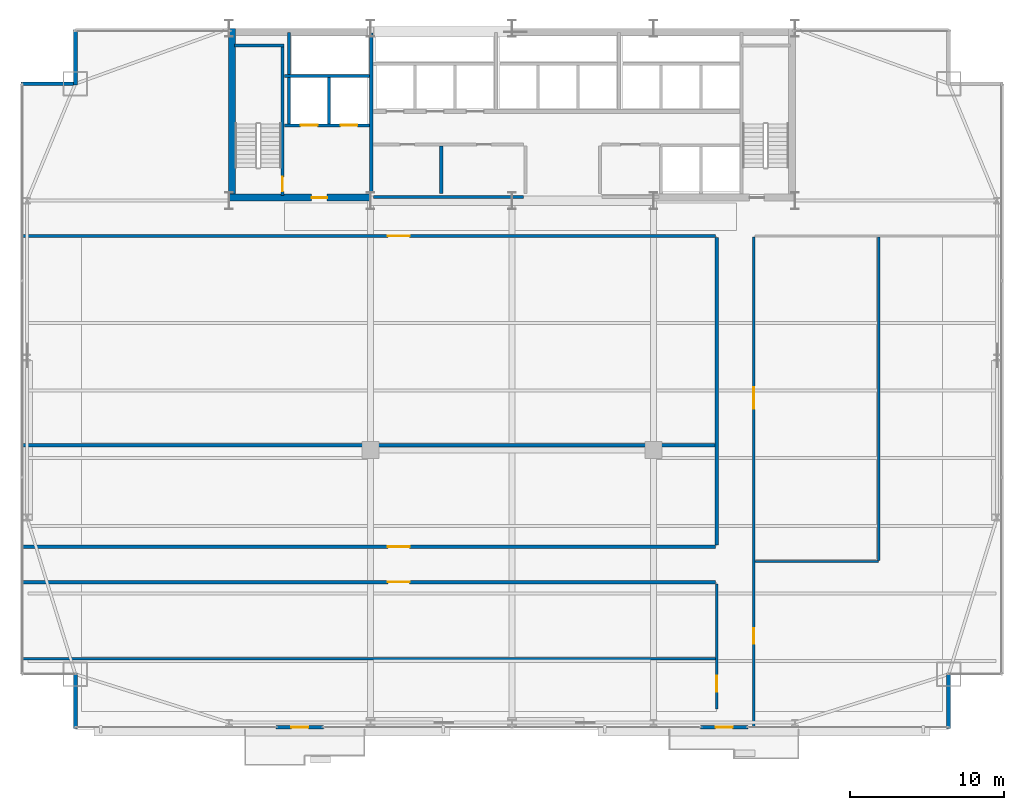
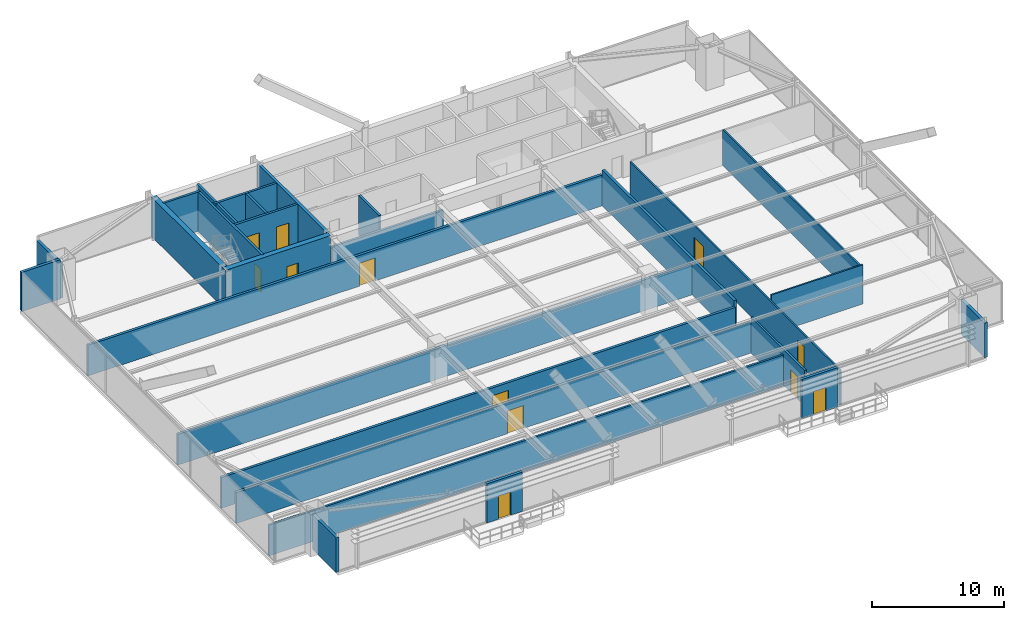
# One storey, part 30 of 34: 27 walls, 12 doors, 12 openings.
"""IFC4 building model written with IfcOpenShell, lengths in metres."""

import ifcopenshell
import ifcopenshell.guid

model = None  # the IFC model being written
_history = None  # IfcOwnerHistory: only IFC2X3 demands one
_inside = {}  # id of a spatial element -> (the spatial element, [elements in it])
_under = {}  # id of a project, library or spatial element -> (it, [spatial elements below it])
_declared = {}  # id of a project -> (the project, [libraries it declares])
_typed = {}  # id of a type object -> (the type object, [elements of that type])
_made_of = {}  # id of a material, layer set ... -> (it, [elements and type objects made of it])


def new_model(schema):
    """Start an empty IFC model of exactly this schema.

    Asked for "IFC4X3", IfcOpenShell would pick the latest addendum, in which some entities
    have other attributes; the version numbers below select the first issue.
    IFC2X3 requires an IfcOwnerHistory on every rooted entity: one is made here for all.
    """
    global model, _history
    if schema == "IFC4X3":
        model = ifcopenshell.file(schema_version=(4, 3, 0, 0))
    else:
        model = ifcopenshell.file(schema=schema)
    _inside.clear()
    _under.clear()
    _declared.clear()
    _typed.clear()
    _made_of.clear()
    _history = None
    if model.schema == "IFC2X3":
        org = make("IfcOrganization", Name="unknown")
        user = make(
            "IfcPersonAndOrganization",
            ThePerson=make("IfcPerson", FamilyName="unknown"),
            TheOrganization=org,
        )
        app = make(
            "IfcApplication",
            ApplicationDeveloper=org,
            Version="unknown",
            ApplicationFullName="unknown",
            ApplicationIdentifier="unknown",
        )
        _history = make(
            "IfcOwnerHistory",
            OwningUser=user,
            OwningApplication=app,
            ChangeAction="ADDED",
            CreationDate=0,
        )
    return model


def make(cls, **values):
    """One entity of the class cls with the attributes given. An attribute that is None is left unset."""
    return model.create_entity(
        cls, **{name: value for name, value in values.items() if value is not None}
    )


def rooted(cls, **values):
    """An entity with a GlobalId (a new one), such as an element, a storey or a relation."""
    return make(cls, GlobalId=ifcopenshell.guid.new(), OwnerHistory=_history, **values)


def si_unit(unit_type, name, prefix=None):
    """IfcSIUnit, for example si_unit("LENGTHUNIT", "METRE", prefix="MILLI")."""
    return make("IfcSIUnit", UnitType=unit_type, Prefix=prefix, Name=name)


def assignment(units):
    """IfcUnitAssignment: the units of a project."""
    return None if units is None else make("IfcUnitAssignment", Units=units)


def point(xyz):
    """IfcCartesianPoint."""
    return None if xyz is None else make("IfcCartesianPoint", Coordinates=xyz)


def direction(xyz):
    """IfcDirection."""
    return None if xyz is None else make("IfcDirection", DirectionRatios=xyz)


def frame(location, z_axis=None, x_axis=None):
    """IfcAxis2Placement3D, a coordinate frame: its origin and axes. An axis left out is left unset."""
    return make(
        "IfcAxis2Placement3D",
        Location=point(location),
        Axis=direction(z_axis),
        RefDirection=direction(x_axis),
    )


def frame_2d(location, x_axis=None):
    """IfcAxis2Placement2D, a coordinate frame in the plane: its origin and x axis."""
    return make(
        "IfcAxis2Placement2D", Location=point(location), RefDirection=direction(x_axis)
    )


def origin():
    """The frame at (0, 0, 0) with its axes left unset."""
    return frame((0.0, 0.0, 0.0))


def place(relative_to, where):
    """IfcLocalPlacement: puts the frame where relative to a parent placement (None: the world)."""
    return make(
        "IfcLocalPlacement", PlacementRelTo=relative_to, RelativePlacement=where
    )


def context(
    kind, dimensions, precision=None, world=None, true_north=None, identifier=None
):
    """IfcGeometricRepresentationContext, for example the 3D "Model" context."""
    return make(
        "IfcGeometricRepresentationContext",
        ContextIdentifier=identifier,
        ContextType=kind,
        CoordinateSpaceDimension=dimensions,
        Precision=precision,
        WorldCoordinateSystem=world,
        TrueNorth=true_north,
    )


def subcontext(parent, identifier, kind, view, scale=None):
    """IfcGeometricRepresentationSubContext, for example "Body" below "Model"."""
    return make(
        "IfcGeometricRepresentationSubContext",
        ContextIdentifier=identifier,
        ContextType=kind,
        ParentContext=parent,
        TargetScale=scale,
        TargetView=view,
    )


def project(units=None, contexts=None):
    """IfcProject with its units and contexts."""
    return rooted(
        "IfcProject",
        Name="project",
        RepresentationContexts=contexts,
        UnitsInContext=assignment(units),
    )


def spatial(cls, under=None, at=None, **own):
    """A site, building, storey or space (cls), placed at a placement, below another one or the project."""
    s = rooted(cls, ObjectPlacement=at, **own)
    if under is not None:
        _under.setdefault(under.id(), (under, []))[1].append(s)
    return s


def profile(cls, at=None, kind="AREA", **sizes):
    """A parametric profile (cls). Its sizes go by their IFC names, for example OverallWidth=200.0."""
    return make(cls, ProfileType=kind, Position=at, **sizes)


def rectangle(**sizes):
    """IfcRectangleProfileDef."""
    return profile("IfcRectangleProfileDef", **sizes)


def extrude(swept, where, along, depth):
    """IfcExtrudedAreaSolid: the profile swept, set in the frame where, extruded along a direction by depth."""
    return make(
        "IfcExtrudedAreaSolid",
        SweptArea=swept,
        Position=where,
        ExtrudedDirection=direction(along),
        Depth=depth,
    )


def shape(context_of_items, identifier, shape_type, items):
    """IfcShapeRepresentation: the items that make up one representation, for example the "Body"."""
    return make(
        "IfcShapeRepresentation",
        ContextOfItems=context_of_items,
        RepresentationIdentifier=identifier,
        RepresentationType=shape_type,
        Items=items,
    )


def source(mapping_origin, context_of_items, identifier, shape_type, items):
    """IfcRepresentationMap: a shape defined once, which mapped items show again and again."""
    return make(
        "IfcRepresentationMap",
        MappingOrigin=mapping_origin,
        MappedRepresentation=shape(context_of_items, identifier, shape_type, items),
    )


def transform(
    local_origin,
    x_axis=None,
    y_axis=None,
    z_axis=None,
    scale=None,
    scale2=None,
    scale3=None,
    uniform=True,
):
    """IfcCartesianTransformationOperator3D, or its non-uniform kind. x_axis, y_axis, z_axis: its Axis1, 2, 3."""
    if uniform:
        return make(
            "IfcCartesianTransformationOperator3D",
            Axis1=direction(x_axis),
            Axis2=direction(y_axis),
            LocalOrigin=point(local_origin),
            Scale=scale,
            Axis3=direction(z_axis),
        )
    return make(
        "IfcCartesianTransformationOperator3DnonUniform",
        Axis1=direction(x_axis),
        Axis2=direction(y_axis),
        LocalOrigin=point(local_origin),
        Scale=scale,
        Axis3=direction(z_axis),
        Scale2=scale2,
        Scale3=scale3,
    )


def mapped(mapping_source, mapping_target):
    """IfcMappedItem: shows the shape of a source again, moved by a transform."""
    return make(
        "IfcMappedItem", MappingSource=mapping_source, MappingTarget=mapping_target
    )


def material(Name=None, Category=None):
    """IfcMaterial."""
    return make("IfcMaterial", Name=Name, Category=Category)


def layer(
    of_material, thickness, ventilated=None, Name=None, Category=None, Priority=None
):
    """IfcMaterialLayer: one layer of a wall or slab, of a material (None: an air gap)."""
    return make(
        "IfcMaterialLayer",
        Material=of_material,
        LayerThickness=thickness,
        IsVentilated=ventilated,
        Name=Name,
        Category=Category,
        Priority=Priority,
    )


def layer_set(layers, Name=None):
    """IfcMaterialLayerSet."""
    return make("IfcMaterialLayerSet", MaterialLayers=layers, LayerSetName=Name)


def made_of(thing, what):
    """Note that an element or type object is made of a material, layer set ...; save() writes the relation."""
    if what is not None:
        _made_of.setdefault(what.id(), (what, []))[1].append(thing)
    return thing


def type_object(cls, material=None, **own):
    """A type object (cls), such as IfcWallType, which elements share."""
    return made_of(rooted(cls, **own), material)


def type_shapes(of_type, sources):
    """Give a type object the sources (RepresentationMaps) that its elements show as mapped items."""
    of_type.RepresentationMaps = sources


def element(
    cls,
    number,
    at=None,
    inside=None,
    cuts=None,
    type_object=None,
    material=None,
    context=None,
    identifier="Body",
    shape_type=None,
    held_by="IfcProductDefinitionShape",
    body=None,
    shapes=None,
    **own,
):
    """One element of the class cls, such as IfcWall. Its Tag is "e" and its number.

    at: its placement. inside: the storey or other place that contains it. cuts: it is an
    opening in that element (IfcRelVoidsElement). A single representation is given by context,
    identifier, shape_type and body (its items); several are given by shapes. held_by: the class
    of the entity that holds the representations. save() writes the other relations.
    """
    e = rooted(cls, Tag="e%d" % number, ObjectPlacement=at, **own)
    if body is not None:
        shapes = [shape(context, identifier, shape_type, body)]
    if shapes is not None:
        e.Representation = make(held_by, Representations=shapes)
    if inside is not None:
        _inside.setdefault(inside.id(), (inside, []))[1].append(e)
    if cuts is not None:
        rooted(
            "IfcRelVoidsElement", RelatingBuildingElement=cuts, RelatedOpeningElement=e
        )
    if type_object is not None:
        _typed.setdefault(type_object.id(), (type_object, []))[1].append(e)
    return made_of(e, material)


def fill(opening, filler):
    """IfcRelFillsElement: the door or window that sits in an opening."""
    return rooted(
        "IfcRelFillsElement",
        RelatingOpeningElement=opening,
        RelatedBuildingElement=filler,
    )


def aggregate(whole, parts):
    """IfcRelAggregates: a whole, such as a stair, and the parts it consists of."""
    return rooted("IfcRelAggregates", RelatingObject=whole, RelatedObjects=parts)


def save(model, path):
    """Write the relations noted so far, then the file.

    IfcRelAggregates (storeys below a building ...), IfcRelContainedInSpatialStructure (elements
    in a storey), IfcRelDefinesByType, IfcRelAssociatesMaterial and IfcRelDeclares: one each for
    every whole, place, type object, material and project.
    """
    for whole, parts in _under.values():
        aggregate(whole, parts)
    for where, things in _inside.values():
        rooted(
            "IfcRelContainedInSpatialStructure",
            RelatedElements=things,
            RelatingStructure=where,
        )
    for kind, things in _typed.values():
        rooted("IfcRelDefinesByType", RelatedObjects=things, RelatingType=kind)
    for what, things in _made_of.values():
        rooted("IfcRelAssociatesMaterial", RelatedObjects=things, RelatingMaterial=what)
    for by, libraries in _declared.values():
        rooted("IfcRelDeclares", RelatingContext=by, RelatedDefinitions=libraries)
    model.write(path)


model = new_model("IFC4")

# Units and contexts
model_context = context("Model", 3, precision=1e-05, world=origin(), true_north=direction((0.0, 1.0)))
body_context = subcontext(model_context, "Body", "Model", "MODEL_VIEW")
ifc_project = project(units=[si_unit("LENGTHUNIT", "METRE"), si_unit("AREAUNIT", "SQUARE_METRE"), si_unit("VOLUMEUNIT", "CUBIC_METRE"), si_unit("PLANEANGLEUNIT", "RADIAN"), si_unit("MASSUNIT", "GRAM", prefix="KILO")], contexts=[model_context])

# Site, building, storey
site_placement = place(None, origin())
site = spatial("IfcSite", under=ifc_project, at=site_placement, CompositionType="ELEMENT")
building_placement = place(site_placement, origin())
building = spatial("IfcBuilding", under=site, at=building_placement, Name="Varnel Quay Broadcast Tower", CompositionType="ELEMENT")
storey_placement = place(building_placement, frame((0.0, 0.0, 47.10009765625)))
storey = spatial("IfcBuildingStorey", under=building, at=storey_placement, Name="L10", CompositionType="ELEMENT", Elevation=47.10009765625)

# Wall, opening, door
ifc_material_1 = material(Name="Concrete CSA A23.3 C50/60", Category="concrete")
ifc_layer_1 = layer(ifc_material_1, 0.199951171875, Name="Concrete CSA A23.3 C50/60")
ifc_layer_set_1 = layer_set([ifc_layer_1], Name="Concrete CSA A23.3 C50/60")
wall_type_1 = type_object("IfcWallType", Name="Wall_CoreShaftShear200", PredefinedType="SHEAR", material=ifc_layer_set_1)
wall_1_placement = place(storey_placement, frame((19.080078125, 35.949951171875, 0.0), z_axis=(0.0, 0.0, 1.0), x_axis=(0.0, 1.0, 0.0)))
wall_1 = element("IfcWall", 1, at=wall_1_placement, inside=storey, type_object=wall_type_1, Name="L10 Stair 1 East Structural Wall", PredefinedType="SHEAR", context=body_context, shape_type="SweptSolid", body=[
    extrude(rectangle(XDim=9.650146484375, YDim=0.199951171875, at=frame_2d((4.8251953125, 0.0))), origin(), (0.0, 0.0, 1.0), 3.64990234375),
])
opening_1_placement = place(wall_1_placement, frame((0.25, 0.0, 0.0)))
opening_1 = element("IfcOpeningElement", 2, at=opening_1_placement, cuts=wall_1, Name="Opening D-L10-S1", PredefinedType="OPENING", context=body_context, shape_type="SweptSolid", body=[
    extrude(rectangle(XDim=0.949951171875, YDim=2.10009765625, at=frame_2d((0.47509765625, 1.050048828125))), frame((0.0, 0.10986328125, 0.0), z_axis=(0.0, -1.0, 0.0), x_axis=(1.0, 0.0, 0.0)), (0.0, 0.0, 1.0), 0.219970703125),
])
ifc_material_2 = material(Name="Insulated Fire-Rated Hollow Steel Door", Category="steel")
door_type_1 = type_object("IfcDoorType", Name="Door_FireStair950", OperationType="NOTDEFINED", PredefinedType="DOOR", material=ifc_material_2)
shared_shape_1 = source(origin(), body_context, "Body", "SweptSolid", [
    extrude(rectangle(XDim=0.949951171875, YDim=2.10009765625, at=frame_2d((0.47509765625, 1.050048828125))), frame((0.0, 0.02490234375, 0.0), z_axis=(0.0, -1.0, 0.0), x_axis=(1.0, 0.0, 0.0)), (0.0, 0.0, 1.0), 0.050048828125),
])
type_shapes(door_type_1, [shared_shape_1])
door_1_placement = place(opening_1_placement, origin())
door_1 = element("IfcDoor", 3, at=door_1_placement, inside=storey, type_object=door_type_1, Name="L10 Stair 1 Fire Door", OperationType="SINGLE_SWING_RIGHT", OverallHeight=2.10009765625, OverallWidth=0.949951171875, PredefinedType="DOOR", context=body_context, shape_type="MappedRepresentation", body=[
    mapped(shared_shape_1, transform((0.0, 0.0, 0.0), x_axis=(1.0, 0.0, 0.0), y_axis=(0.0, 1.0, 0.0), z_axis=(0.0, 0.0, 1.0), scale=1.0)),
])
fill(opening_1, door_1)

# Wall
wall_2_placement = place(storey_placement, frame((15.949951171875, 45.679931640625, 0.0), z_axis=(0.0, 0.0, 1.0), x_axis=(1.0, 0.0, 0.0)))
element("IfcWall", 4, at=wall_2_placement, inside=storey, type_object=wall_type_1, Name="L10 Stair 1 North Structural Wall", PredefinedType="SHEAR", context=body_context, shape_type="SweptSolid", body=[
    extrude(rectangle(XDim=3.22998046875, YDim=0.199951171875, at=frame_2d((1.614990234375, 0.0))), origin(), (0.0, 0.0, 1.0), 3.64990234375),
])

# Wall, openings, doors
wall_3_placement = place(storey_placement, frame((19.199951171875, 40.5, 0.0), z_axis=(0.0, 0.0, 1.0), x_axis=(1.0, 0.0, 0.0)))
wall_3 = element("IfcWall", 5, at=wall_3_placement, inside=storey, type_object=wall_type_1, Name="L10 Firefighter Lift Shaft Front Wall", PredefinedType="SHEAR", context=body_context, shape_type="SweptSolid", body=[
    extrude(rectangle(XDim=5.52001953125, YDim=0.199951171875, at=frame_2d((2.760009765625, 0.0))), origin(), (0.0, 0.0, 1.0), 3.64990234375),
])
opening_2_placement = place(wall_3_placement, frame((1.050048828125, 0.0, 0.0)))
opening_2 = element("IfcOpeningElement", 6, at=opening_2_placement, cuts=wall_3, Name="Opening LD-L10-FE1", PredefinedType="OPENING", context=body_context, shape_type="SweptSolid", body=[
    extrude(rectangle(XDim=1.10009765625, YDim=2.179931640625, at=frame_2d((0.550048828125, 1.08984375))), frame((0.0, 0.10986328125, 0.0), z_axis=(0.0, -1.0, 0.0), x_axis=(1.0, 0.0, 0.0)), (0.0, 0.0, 1.0), 0.219970703125),
])
opening_3_placement = place(wall_3_placement, frame((3.64990234375, 0.0, 0.0)))
opening_3 = element("IfcOpeningElement", 7, at=opening_3_placement, cuts=wall_3, Name="Opening LD-L10-FE2", PredefinedType="OPENING", context=body_context, shape_type="SweptSolid", body=[
    extrude(rectangle(XDim=1.10009765625, YDim=2.179931640625, at=frame_2d((0.550048828125, 1.08984375))), frame((0.0, 0.10986328125, 0.0), z_axis=(0.0, -1.0, 0.0), x_axis=(1.0, 0.0, 0.0)), (0.0, 0.0, 1.0), 0.219970703125),
])
ifc_material_3 = material(Name="Brushed Bronze-Stainless Lift Car & Sliding Doors", Category="steel")
door_type_2 = type_object("IfcDoorType", Name="Door_LiftLanding1100", OperationType="SLIDING_TO_LEFT", PredefinedType="DOOR", material=ifc_material_3)
shared_shape_2 = source(origin(), body_context, "Body", "SweptSolid", [
    extrude(rectangle(XDim=1.10009765625, YDim=2.179931640625, at=frame_2d((0.550048828125, 1.08984375))), frame((0.0, 0.02490234375, 0.0), z_axis=(0.0, -1.0, 0.0), x_axis=(1.0, 0.0, 0.0)), (0.0, 0.0, 1.0), 0.050048828125),
])
type_shapes(door_type_2, [shared_shape_2])
door_2_placement = place(opening_2_placement, frame((1.10009765625, 0.0, 0.0), z_axis=(0.0, 0.0, 1.0), x_axis=(-1.0, 0.0, 0.0)))
door_2 = element("IfcDoor", 8, at=door_2_placement, inside=storey, type_object=door_type_2, Name="L10 Firefighter Lift FE-01 Landing Door", OperationType="SLIDING_TO_LEFT", OverallHeight=2.179931640625, OverallWidth=1.10009765625, PredefinedType="DOOR", context=body_context, shape_type="MappedRepresentation", body=[
    mapped(shared_shape_2, transform((0.0, 0.0, 0.0), x_axis=(1.0, 0.0, 0.0), y_axis=(0.0, 1.0, 0.0), z_axis=(0.0, 0.0, 1.0), scale=1.0)),
])
fill(opening_2, door_2)
door_3_placement = place(opening_3_placement, frame((1.10009765625, 0.0, 0.0), z_axis=(0.0, 0.0, 1.0), x_axis=(-1.0, 0.0, 0.0)))
door_3 = element("IfcDoor", 9, at=door_3_placement, inside=storey, type_object=door_type_2, Name="L10 Firefighter Lift FE-02 Landing Door", OperationType="SLIDING_TO_RIGHT", OverallHeight=2.179931640625, OverallWidth=1.10009765625, PredefinedType="DOOR", context=body_context, shape_type="MappedRepresentation", body=[
    mapped(shared_shape_2, transform((0.0, 0.0, 0.0), x_axis=(1.0, 0.0, 0.0), y_axis=(0.0, 1.0, 0.0), z_axis=(0.0, 0.0, 1.0), scale=1.0)),
])
fill(opening_3, door_3)

# Walls
wall_4_placement = place(storey_placement, frame((19.199951171875, 43.699951171875, 0.0), z_axis=(0.0, 0.0, 1.0), x_axis=(1.0, 0.0, 0.0)))
element("IfcWall", 10, at=wall_4_placement, inside=storey, type_object=wall_type_1, Name="L10 Firefighter Lift Shaft Rear Wall", PredefinedType="SHEAR", context=body_context, shape_type="SweptSolid", body=[
    extrude(rectangle(XDim=5.52001953125, YDim=0.199951171875, at=frame_2d((2.760009765625, 0.0))), origin(), (0.0, 0.0, 1.0), 3.64990234375),
])
wall_5_placement = place(storey_placement, frame((22.10009765625, 40.60009765625, 0.0), z_axis=(0.0, 0.0, 1.0), x_axis=(0.0, 1.0, 0.0)))
element("IfcWall", 11, at=wall_5_placement, inside=storey, type_object=wall_type_1, Name="L10 Firefighter Lift Shaft Divider", PredefinedType="SHEAR", context=body_context, shape_type="SweptSolid", body=[
    extrude(rectangle(XDim=3.0, YDim=0.199951171875, at=frame_2d((1.5, 0.0))), origin(), (0.0, 0.0, 1.0), 3.64990234375),
])
wall_6_placement = place(storey_placement, frame((19.5, 40.60009765625, 0.0), z_axis=(0.0, 0.0, 1.0), x_axis=(0.0, 1.0, 0.0)))
element("IfcWall", 12, at=wall_6_placement, inside=storey, type_object=wall_type_1, Name="L10 Firefighter Lift Shaft West Wall", PredefinedType="SHEAR", context=body_context, shape_type="SweptSolid", body=[
    extrude(rectangle(XDim=5.949951171875, YDim=0.199951171875, at=frame_2d((2.97509765625, 0.0))), origin(), (0.0, 0.0, 1.0), 3.64990234375),
])
ifc_layer_2 = layer(ifc_material_1, 0.25, Name="Concrete CSA A23.3 C50/60")
ifc_layer_set_2 = layer_set([ifc_layer_2], Name="Concrete CSA A23.3 C50/60")
wall_type_2 = type_object("IfcWallType", Name="Wall_CoreShaftShear250", PredefinedType="SHEAR", material=ifc_layer_set_2)
wall_7_placement = place(storey_placement, frame((24.85009765625, 36.050048828125, 0.0), z_axis=(0.0, 0.0, 1.0), x_axis=(0.0, 1.0, 0.0)))
element("IfcWall", 13, at=wall_7_placement, inside=storey, type_object=wall_type_2, Name="L10 Firefighting Lobby East Structural Wall", PredefinedType="SHEAR", context=body_context, shape_type="SweptSolid", body=[
    extrude(rectangle(XDim=10.449951171875, YDim=0.25, at=frame_2d((5.22509765625, 0.0))), origin(), (0.0, 0.0, 1.0), 3.64990234375),
])
ifc_material_4 = material(Name="Concrete CSA A23.3 C60/75", Category="concrete")
ifc_layer_3 = layer(ifc_material_4, 0.449951171875, Name="Concrete CSA A23.3 C60/75")
ifc_layer_set_3 = layer_set([ifc_layer_3], Name="Concrete CSA A23.3 C60/75")
wall_type_3 = type_object("IfcWallType", Name="Wall_CoreShearInt450", PredefinedType="SHEAR", material=ifc_layer_set_3)
wall_8_placement = place(storey_placement, frame((15.794921875, 35.570068359375, 0.0), z_axis=(0.0, 0.0, 1.0), x_axis=(0.0, 1.0, 0.0)))
element("IfcWall", 14, at=wall_8_placement, inside=storey, type_object=wall_type_3, Name="L10 West Core Shear Wall", PredefinedType="SHEAR", context=body_context, shape_type="SweptSolid", body=[
    extrude(rectangle(XDim=11.22998046875, YDim=0.449951171875, at=frame_2d((5.614990234375, 0.0))), origin(), (0.0, 0.0, 1.0), 3.64990234375),
])

# Wall, opening, door
wall_9_placement = place(storey_placement, frame((15.570068359375, 35.794921875, 0.0), z_axis=(0.0, 0.0, 1.0), x_axis=(1.0, 0.0, 0.0)))
wall_9 = element("IfcWall", 15, at=wall_9_placement, inside=storey, type_object=wall_type_3, Name="L10 South-West Core Shear Wall", PredefinedType="SHEAR", context=body_context, shape_type="SweptSolid", body=[
    extrude(rectangle(XDim=9.22998046875, YDim=0.449951171875, at=frame_2d((4.614990234375, 0.0))), origin(), (0.0, 0.0, 1.0), 3.64990234375),
])
opening_4_placement = place(wall_9_placement, frame((5.39990234375, 0.0, 0.0)))
opening_4 = element("IfcOpeningElement", 16, at=opening_4_placement, cuts=wall_9, Name="Opening D-L10-FFL", PredefinedType="OPENING", context=body_context, shape_type="SweptSolid", body=[
    extrude(rectangle(XDim=1.0, YDim=2.10009765625, at=frame_2d((0.5, 1.050048828125))), frame((0.0, 0.23486328125, 0.0), z_axis=(0.0, -1.0, 0.0), x_axis=(1.0, 0.0, 0.0)), (0.0, 0.0, 1.0), 0.469970703125),
])
door_type_3 = type_object("IfcDoorType", Name="Door_FireLobby1000", OperationType="NOTDEFINED", PredefinedType="DOOR", material=ifc_material_2)
shared_shape_3 = source(origin(), body_context, "Body", "SweptSolid", [
    extrude(rectangle(XDim=1.0, YDim=2.10009765625, at=frame_2d((0.5, 1.050048828125))), frame((0.0, 0.02490234375, 0.0), z_axis=(0.0, -1.0, 0.0), x_axis=(1.0, 0.0, 0.0)), (0.0, 0.0, 1.0), 0.050048828125),
])
type_shapes(door_type_3, [shared_shape_3])
door_4_placement = place(opening_4_placement, origin())
door_4 = element("IfcDoor", 17, at=door_4_placement, inside=storey, type_object=door_type_3, Name="L10 Firefighting Lobby Door", OperationType="SINGLE_SWING_LEFT", OverallHeight=2.10009765625, OverallWidth=1.0, PredefinedType="DOOR", context=body_context, shape_type="MappedRepresentation", body=[
    mapped(shared_shape_3, transform((0.0, 0.0, 0.0), x_axis=(1.0, 0.0, 0.0), y_axis=(0.0, 1.0, 0.0), z_axis=(0.0, 0.0, 1.0), scale=1.0)),
])
fill(opening_4, door_4)

ifc_material_5 = material(Name="Precast Architectural Concrete C40/50", Category="concrete")
ifc_layer_4 = layer(ifc_material_5, 0.25, Name="Precast Architectural Concrete C40/50")
ifc_layer_set_4 = layer_set([ifc_layer_4], Name="Precast Architectural Concrete C40/50")
wall_type_4 = type_object("IfcWallType", Name="Wall_ExtTerrace250", PredefinedType="SOLIDWALL", material=ifc_layer_set_4)
wall_10_placement = place(storey_placement, frame((18.64990234375, 1.35009765625, 0.0), z_axis=(0.0, 0.0, 1.0), x_axis=(1.0, 0.0, 0.0)))
wall_10 = element("IfcWall", 18, at=wall_10_placement, inside=storey, type_object=wall_type_4, Name="L10 Terrace Access Wall 1", PredefinedType="SOLIDWALL", context=body_context, shape_type="SweptSolid", body=[
    extrude(rectangle(XDim=3.10009765625, YDim=0.25, at=frame_2d((1.550048828125, 0.0))), origin(), (0.0, 0.0, 1.0), 3.6298828125),
])
opening_5_placement = place(wall_10_placement, frame((1.0, 0.0, 0.0)))
opening_5 = element("IfcOpeningElement", 19, at=opening_5_placement, cuts=wall_10, Name="Opening TD-101", PredefinedType="OPENING", context=body_context, shape_type="SweptSolid", body=[
    extrude(rectangle(XDim=1.10009765625, YDim=2.14990234375, at=frame_2d((0.550048828125, 1.074951171875))), frame((0.0, 0.135009765625, 0.0), z_axis=(0.0, -1.0, 0.0), x_axis=(1.0, 0.0, 0.0)), (0.0, 0.0, 1.0), 0.27001953125),
])
ifc_material_6 = material(Name="Anodised Bronze Aluminium 6063-T6", Category="aluminium")
door_type_4 = type_object("IfcDoorType", Name="Door_ExtTerrace1100", OperationType="NOTDEFINED", PredefinedType="DOOR", material=ifc_material_6)
shared_shape_4 = source(origin(), body_context, "Body", "SweptSolid", [
    extrude(rectangle(XDim=1.10009765625, YDim=2.14990234375, at=frame_2d((0.550048828125, 1.074951171875))), frame((0.0, 0.02490234375, 0.0), z_axis=(0.0, -1.0, 0.0), x_axis=(1.0, 0.0, 0.0)), (0.0, 0.0, 1.0), 0.050048828125),
])
type_shapes(door_type_4, [shared_shape_4])
door_5_placement = place(opening_5_placement, frame((1.10009765625, 0.0, 0.0), z_axis=(0.0, 0.0, 1.0), x_axis=(-1.0, 0.0, 0.0)))
door_5 = element("IfcDoor", 20, at=door_5_placement, inside=storey, type_object=door_type_4, Name="L10 Terrace Door TD-101", OperationType="SINGLE_SWING_LEFT", OverallHeight=2.14990234375, OverallWidth=1.10009765625, PredefinedType="DOOR", context=body_context, shape_type="MappedRepresentation", body=[
    mapped(shared_shape_4, transform((0.0, 0.0, 0.0), x_axis=(1.0, 0.0, 0.0), y_axis=(0.0, 1.0, 0.0), z_axis=(0.0, 0.0, 1.0), scale=1.0)),
])
fill(opening_5, door_5)

wall_11_placement = place(storey_placement, frame((46.25, 1.35009765625, 0.0), z_axis=(0.0, 0.0, 1.0), x_axis=(1.0, 0.0, 0.0)))
wall_11 = element("IfcWall", 21, at=wall_11_placement, inside=storey, type_object=wall_type_4, Name="L10 Terrace Access Wall 2", PredefinedType="SOLIDWALL", context=body_context, shape_type="SweptSolid", body=[
    extrude(rectangle(XDim=3.10009765625, YDim=0.25, at=frame_2d((1.550048828125, 0.0))), origin(), (0.0, 0.0, 1.0), 3.6298828125),
])
opening_6_placement = place(wall_11_placement, frame((1.0, 0.0, 0.0)))
opening_6 = element("IfcOpeningElement", 22, at=opening_6_placement, cuts=wall_11, Name="Opening TD-102", PredefinedType="OPENING", context=body_context, shape_type="SweptSolid", body=[
    extrude(rectangle(XDim=1.10009765625, YDim=2.14990234375, at=frame_2d((0.550048828125, 1.074951171875))), frame((0.0, 0.135009765625, 0.0), z_axis=(0.0, -1.0, 0.0), x_axis=(1.0, 0.0, 0.0)), (0.0, 0.0, 1.0), 0.27001953125),
])
door_6_placement = place(opening_6_placement, frame((1.10009765625, 0.0, 0.0), z_axis=(0.0, 0.0, 1.0), x_axis=(-1.0, 0.0, 0.0)))
door_6 = element("IfcDoor", 23, at=door_6_placement, inside=storey, type_object=door_type_4, Name="L10 Terrace Door TD-102", OperationType="SINGLE_SWING_RIGHT", OverallHeight=2.14990234375, OverallWidth=1.10009765625, PredefinedType="DOOR", context=body_context, shape_type="MappedRepresentation", body=[
    mapped(shared_shape_4, transform((0.0, 0.0, 0.0), x_axis=(1.0, 0.0, 0.0), y_axis=(0.0, 1.0, 0.0), z_axis=(0.0, 0.0, 1.0), scale=1.0)),
])
fill(opening_6, door_6)

# Walls
for number, where, z_axis, x_axis, name in (
    (24, (5.60009765625, 1.280029296875, 0.0), (0.0, 0.0, 1.0), (0.0, 1.0, 0.0), "L10 Mega-Column Notch Cladding Wall NSW2"),
    (25, (62.39990234375, 1.280029296875, 0.0), (0.0, 0.0, 1.0), (0.0, 1.0, 0.0), "L10 Mega-Column Notch Cladding Wall NSE2"),
):
    element("IfcWall", number, at=place(storey_placement, frame(where, z_axis=z_axis, x_axis=x_axis)), inside=storey, type_object=wall_type_4, Name=name, PredefinedType="SOLIDWALL", context=body_context, shape_type="SweptSolid", body=[
        extrude(rectangle(XDim=3.599853515625, YDim=0.25, at=frame_2d((1.7998046875, 0.0))), origin(), (0.0, 0.0, 1.0), 3.2080078125),
    ])
wall_12_placement = place(storey_placement, frame((2.080078125, 43.199951171875, 0.0), z_axis=(0.0, 0.0, 1.0), x_axis=(1.0, 0.0, 0.0)))
element("IfcWall", 26, at=wall_12_placement, inside=storey, type_object=wall_type_4, Name="L10 Mega-Column Notch Cladding Wall NNW1", PredefinedType="SOLIDWALL", context=body_context, shape_type="SweptSolid", body=[
    extrude(rectangle(XDim=3.389892578125, YDim=0.25, at=frame_2d((1.69482421875, 0.0))), origin(), (0.0, 0.0, 1.0), 3.6298828125),
])
wall_13_placement = place(storey_placement, frame((5.60009765625, 43.1201171875, 0.0), z_axis=(0.0, 0.0, 1.0), x_axis=(0.0, 1.0, 0.0)))
element("IfcWall", 27, at=wall_13_placement, inside=storey, type_object=wall_type_4, Name="L10 Mega-Column Notch Cladding Wall NNW2", PredefinedType="SOLIDWALL", context=body_context, shape_type="SweptSolid", body=[
    extrude(rectangle(XDim=3.599853515625, YDim=0.25, at=frame_2d((1.7998046875, 0.0))), origin(), (0.0, 0.0, 1.0), 3.2080078125),
])
ifc_material_7 = material(Name="Steel-Stud Fire-Rated Acoustic Gypsum Partition Assembly", Category="steel")
ifc_layer_5 = layer(ifc_material_7, 0.139892578125, Name="Steel-Stud Fire-Rated Acoustic Gypsum Partition Assembly")
ifc_layer_set_5 = layer_set([ifc_layer_5], Name="Steel-Stud Fire-Rated Acoustic Gypsum Partition Assembly")
wall_type_5 = type_object("IfcWallType", Name="Wall_Partition140", PredefinedType="PARTITIONING", material=ifc_layer_set_5)
wall_14_placement = place(storey_placement, frame((57.85009765625, 12.199951171875, 0.0), z_axis=(0.0, 0.0, 1.0), x_axis=(0.0, 1.0, 0.0)))
element("IfcWall", 28, at=wall_14_placement, inside=storey, type_object=wall_type_5, Name="L10 Talent Lounge 5 Partition 16", PredefinedType="PARTITIONING", context=body_context, shape_type="SweptSolid", body=[
    extrude(rectangle(XDim=21.030029296875, YDim=0.139892578125, at=frame_2d((10.51513671875, 0.0))), origin(), (0.0, 0.0, 1.0), 3.322021484375),
])
wall_15_placement = place(storey_placement, frame((49.820068359375, 12.1298828125, 0.0), z_axis=(0.0, 0.0, 1.0), x_axis=(1.0, 0.0, 0.0)))
element("IfcWall", 29, at=wall_15_placement, inside=storey, type_object=wall_type_5, Name="L10 Talent Lounge 5 Partition 17", PredefinedType="PARTITIONING", context=body_context, shape_type="SweptSolid", body=[
    extrude(rectangle(XDim=8.030029296875, YDim=0.139892578125, at=frame_2d((4.01513671875, 0.0))), origin(), (0.0, 0.0, 1.0), 3.6298828125),
])

# Wall, openings, doors
wall_16_placement = place(storey_placement, frame((49.719970703125, 1.3798828125, 0.0), z_axis=(0.0, 0.0, 1.0), x_axis=(0.0, 1.0, 0.0)))
wall_16 = element("IfcWall", 30, at=wall_16_placement, inside=storey, type_object=wall_type_5, Name="L10 Talent Lounge 5 Partition 18", PredefinedType="PARTITIONING", context=body_context, shape_type="SweptSolid", body=[
    extrude(rectangle(XDim=31.85009765625, YDim=0.139892578125, at=frame_2d((15.925048828125, 0.0))), origin(), (0.0, 0.0, 1.0), 3.2080078125),
])
opening_7_placement = place(wall_16_placement, frame((5.405029296875, 0.0, 0.0)))
opening_7 = element("IfcOpeningElement", 31, at=opening_7_placement, cuts=wall_16, Name="Opening D-L10-08", PredefinedType="OPENING", context=body_context, shape_type="SweptSolid", body=[
    extrude(rectangle(XDim=1.0, YDim=2.10009765625, at=frame_2d((0.5, 1.050048828125))), frame((0.0, 0.080078125, 0.0), z_axis=(0.0, -1.0, 0.0), x_axis=(1.0, 0.0, 0.0)), (0.0, 0.0, 1.0), 0.159912109375),
])
opening_8_placement = place(wall_16_placement, frame((20.68505859375, 0.0, 0.0)))
opening_8 = element("IfcOpeningElement", 32, at=opening_8_placement, cuts=wall_16, Name="Opening D-L10-09", PredefinedType="OPENING", context=body_context, shape_type="SweptSolid", body=[
    extrude(rectangle(XDim=1.39990234375, YDim=2.1201171875, at=frame_2d((0.699951171875, 1.06005859375))), frame((0.0, 0.080078125, 0.0), z_axis=(0.0, -1.0, 0.0), x_axis=(1.0, 0.0, 0.0)), (0.0, 0.0, 1.0), 0.159912109375),
])
ifc_material_8 = material(Name="Solid-Core Fire-Rated Acoustic Oak Veneer Door", Category="wood")
door_type_5 = type_object("IfcDoorType", Name="Door_Exec1000", OperationType="NOTDEFINED", PredefinedType="DOOR", material=ifc_material_8)
shared_shape_5 = source(origin(), body_context, "Body", "SweptSolid", [
    extrude(rectangle(XDim=1.0, YDim=2.10009765625, at=frame_2d((0.5, 1.050048828125))), frame((0.0, 0.02490234375, 0.0), z_axis=(0.0, -1.0, 0.0), x_axis=(1.0, 0.0, 0.0)), (0.0, 0.0, 1.0), 0.050048828125),
])
type_shapes(door_type_5, [shared_shape_5])
door_7_placement = place(opening_7_placement, frame((1.0, 0.0, 0.0), z_axis=(0.0, 0.0, 1.0), x_axis=(-1.0, 0.0, 0.0)))
door_7 = element("IfcDoor", 33, at=door_7_placement, inside=storey, type_object=door_type_5, Name="L10 Talent Lounge 5 Door D-L10-08", OperationType="SINGLE_SWING_LEFT", OverallHeight=2.10009765625, OverallWidth=1.0, PredefinedType="DOOR", context=body_context, shape_type="MappedRepresentation", body=[
    mapped(shared_shape_5, transform((0.0, 0.0, 0.0), x_axis=(1.0, 0.0, 0.0), y_axis=(0.0, 1.0, 0.0), z_axis=(0.0, 0.0, 1.0), scale=1.0)),
])
fill(opening_7, door_7)
door_type_6 = type_object("IfcDoorType", Name="Door_Gallery1400", OperationType="DOUBLE_DOOR_SINGLE_SWING", PredefinedType="DOOR", material=ifc_material_8)
shared_shape_6 = source(origin(), body_context, "Body", "SweptSolid", [
    extrude(rectangle(XDim=1.39990234375, YDim=2.1201171875, at=frame_2d((0.699951171875, 1.06005859375))), frame((0.0, 0.02490234375, 0.0), z_axis=(0.0, -1.0, 0.0), x_axis=(1.0, 0.0, 0.0)), (0.0, 0.0, 1.0), 0.050048828125),
])
type_shapes(door_type_6, [shared_shape_6])
door_8_placement = place(opening_8_placement, frame((1.39990234375, 0.0, 0.0), z_axis=(0.0, 0.0, 1.0), x_axis=(-1.0, 0.0, 0.0)))
door_8 = element("IfcDoor", 34, at=door_8_placement, inside=storey, type_object=door_type_6, Name="L10 Foley Sound Studio 6 Door D-L10-09", OperationType="DOUBLE_DOOR_SINGLE_SWING", OverallHeight=2.1201171875, OverallWidth=1.39990234375, PredefinedType="DOOR", context=body_context, shape_type="MappedRepresentation", body=[
    mapped(shared_shape_6, transform((0.0, 0.0, 0.0), x_axis=(1.0, 0.0, 0.0), y_axis=(0.0, 1.0, 0.0), z_axis=(0.0, 0.0, 1.0), scale=1.0)),
])
fill(opening_8, door_8)

# Wall, opening, door
ifc_layer_6 = layer(ifc_material_7, 0.175048828125, Name="Steel-Stud Fire-Rated Acoustic Gypsum Partition Assembly")
ifc_layer_set_6 = layer_set([ifc_layer_6], Name="Steel-Stud Fire-Rated Acoustic Gypsum Partition Assembly")
wall_type_6 = type_object("IfcWallType", Name="Wall_Partition175", PredefinedType="PARTITIONING", material=ifc_layer_set_6)
wall_17_placement = place(storey_placement, frame((47.320068359375, 2.550048828125, 0.0), z_axis=(0.0, 0.0, 1.0), x_axis=(0.0, 1.0, 0.0)))
wall_17 = element("IfcWall", 35, at=wall_17_placement, inside=storey, type_object=wall_type_6, Name="L10 Broadcast Seminar Room 1 Partition 8", PredefinedType="PARTITIONING", context=body_context, shape_type="SweptSolid", body=[
    extrude(rectangle(XDim=8.126953125, YDim=0.175048828125, at=frame_2d((4.0634765625, 0.0))), origin(), (0.0, 0.0, 1.0), 3.322021484375),
])
opening_9_placement = place(wall_17_placement, frame((1.10009765625, 0.0, 0.0)))
opening_9 = element("IfcOpeningElement", 36, at=opening_9_placement, cuts=wall_17, Name="Opening D-L10-04", PredefinedType="OPENING", context=body_context, shape_type="SweptSolid", body=[
    extrude(rectangle(XDim=1.050048828125, YDim=2.10009765625, at=frame_2d((0.52490234375, 1.050048828125))), frame((0.0, 0.09765625, 0.0), z_axis=(0.0, -1.0, 0.0), x_axis=(1.0, 0.0, 0.0)), (0.0, 0.0, 1.0), 0.195068359375),
])
door_type_7 = type_object("IfcDoorType", Name="Door_Meeting1050", OperationType="NOTDEFINED", PredefinedType="DOOR", material=ifc_material_8)
shared_shape_7 = source(origin(), body_context, "Body", "SweptSolid", [
    extrude(rectangle(XDim=1.050048828125, YDim=2.10009765625, at=frame_2d((0.52490234375, 1.050048828125))), frame((0.0, 0.02490234375, 0.0), z_axis=(0.0, -1.0, 0.0), x_axis=(1.0, 0.0, 0.0)), (0.0, 0.0, 1.0), 0.050048828125),
])
type_shapes(door_type_7, [shared_shape_7])
door_9_placement = place(opening_9_placement, origin())
door_9 = element("IfcDoor", 37, at=door_9_placement, inside=storey, type_object=door_type_7, Name="L10 Broadcast Seminar Room 1 Door D-L10-04", OperationType="SINGLE_SWING_RIGHT", OverallHeight=2.10009765625, OverallWidth=1.050048828125, PredefinedType="DOOR", context=body_context, shape_type="MappedRepresentation", body=[
    mapped(shared_shape_7, transform((0.0, 0.0, 0.0), x_axis=(1.0, 0.0, 0.0), y_axis=(0.0, 1.0, 0.0), z_axis=(0.0, 0.0, 1.0), scale=1.0)),
])
fill(opening_9, door_9)

# Wall
wall_18_placement = place(storey_placement, frame((2.179931640625, 5.800048828125, 0.0), z_axis=(0.0, 0.0, 1.0), x_axis=(1.0, 0.0, 0.0)))
element("IfcWall", 38, at=wall_18_placement, inside=storey, type_object=wall_type_6, Name="L10 Broadcast Seminar Room 1 Partition 9", PredefinedType="PARTITIONING", context=body_context, shape_type="SweptSolid", body=[
    extrude(rectangle(XDim=45.0400390625, YDim=0.175048828125, at=frame_2d((22.52001953125, 0.0))), origin(), (0.0, 0.0, 1.0), 2.851806640625),
])

# Wall, opening, door
ifc_layer_7 = layer(ifc_material_7, 0.22509765625, Name="Steel-Stud Fire-Rated Acoustic Gypsum Partition Assembly")
ifc_layer_set_7 = layer_set([ifc_layer_7], Name="Steel-Stud Fire-Rated Acoustic Gypsum Partition Assembly")
wall_type_7 = type_object("IfcWallType", Name="Wall_Partition225", PredefinedType="PARTITIONING", material=ifc_layer_set_7)
wall_19_placement = place(storey_placement, frame((2.179931640625, 10.7900390625, 0.0), z_axis=(0.0, 0.0, 1.0), x_axis=(1.0, 0.0, 0.0)))
wall_19 = element("IfcWall", 39, at=wall_19_placement, inside=storey, type_object=wall_type_7, Name="L10 Podcast Recording Studio 2 Partition 10", PredefinedType="PARTITIONING", context=body_context, shape_type="SweptSolid", body=[
    extrude(rectangle(XDim=45.0400390625, YDim=0.22509765625, at=frame_2d((22.52001953125, 0.0))), origin(), (0.0, 0.0, 1.0), 2.851806640625),
])
opening_10_placement = place(wall_19_placement, frame((23.7548828125, 0.0, 0.0)))
opening_10 = element("IfcOpeningElement", 40, at=opening_10_placement, cuts=wall_19, Name="Opening D-L10-05", PredefinedType="OPENING", context=body_context, shape_type="SweptSolid", body=[
    extrude(rectangle(XDim=1.39990234375, YDim=2.1201171875, at=frame_2d((0.699951171875, 1.06005859375))), frame((0.0, 0.12255859375, 0.0), z_axis=(0.0, -1.0, 0.0), x_axis=(1.0, 0.0, 0.0)), (0.0, 0.0, 1.0), 0.2451171875),
])
door_10_placement = place(opening_10_placement, frame((1.39990234375, 0.0, 0.0), z_axis=(0.0, 0.0, 1.0), x_axis=(-1.0, 0.0, 0.0)))
door_10 = element("IfcDoor", 41, at=door_10_placement, inside=storey, type_object=door_type_6, Name="L10 Podcast Recording Studio 2 Door D-L10-05", OperationType="DOUBLE_DOOR_SINGLE_SWING", OverallHeight=2.1201171875, OverallWidth=1.39990234375, PredefinedType="DOOR", context=body_context, shape_type="MappedRepresentation", body=[
    mapped(shared_shape_6, transform((0.0, 0.0, 0.0), x_axis=(1.0, 0.0, 0.0), y_axis=(0.0, 1.0, 0.0), z_axis=(0.0, 0.0, 1.0), scale=1.0)),
])
fill(opening_10, door_10)

wall_20_placement = place(storey_placement, frame((2.179931640625, 13.090087890625, 0.0), z_axis=(0.0, 0.0, 1.0), x_axis=(1.0, 0.0, 0.0)))
wall_20 = element("IfcWall", 42, at=wall_20_placement, inside=storey, type_object=wall_type_7, Name="L10 Foley Sound Studio 3 Partition 11", PredefinedType="PARTITIONING", context=body_context, shape_type="SweptSolid", body=[
    extrude(rectangle(XDim=45.0400390625, YDim=0.22509765625, at=frame_2d((22.52001953125, 0.0))), origin(), (0.0, 0.0, 1.0), 2.851806640625),
])
opening_11_placement = place(wall_20_placement, frame((23.7548828125, 0.0, 0.0)))
opening_11 = element("IfcOpeningElement", 43, at=opening_11_placement, cuts=wall_20, Name="Opening D-L10-06", PredefinedType="OPENING", context=body_context, shape_type="SweptSolid", body=[
    extrude(rectangle(XDim=1.39990234375, YDim=2.1201171875, at=frame_2d((0.699951171875, 1.06005859375))), frame((0.0, 0.12255859375, 0.0), z_axis=(0.0, -1.0, 0.0), x_axis=(1.0, 0.0, 0.0)), (0.0, 0.0, 1.0), 0.2451171875),
])
door_11_placement = place(opening_11_placement, origin())
door_11 = element("IfcDoor", 44, at=door_11_placement, inside=storey, type_object=door_type_6, Name="L10 Foley Sound Studio 3 Door D-L10-06", OperationType="DOUBLE_DOOR_SINGLE_SWING", OverallHeight=2.1201171875, OverallWidth=1.39990234375, PredefinedType="DOOR", context=body_context, shape_type="MappedRepresentation", body=[
    mapped(shared_shape_6, transform((0.0, 0.0, 0.0), x_axis=(1.0, 0.0, 0.0), y_axis=(0.0, 1.0, 0.0), z_axis=(0.0, 0.0, 1.0), scale=1.0)),
])
fill(opening_11, door_11)

# Walls
wall_21_placement = place(storey_placement, frame((47.320068359375, 13.202880859375, 0.0), z_axis=(0.0, 0.0, 1.0), x_axis=(0.0, 1.0, 0.0)))
element("IfcWall", 45, at=wall_21_placement, inside=storey, type_object=wall_type_7, Name="L10 Foley Sound Studio 3 Partition 12", PredefinedType="PARTITIONING", context=body_context, shape_type="SweptSolid", body=[
    extrude(rectangle(XDim=19.985107421875, YDim=0.22509765625, at=frame_2d((9.99267578125, 0.0))), origin(), (0.0, 0.0, 1.0), 3.322021484375),
])
wall_22_placement = place(storey_placement, frame((2.179931640625, 19.68994140625, 0.0), z_axis=(0.0, 0.0, 1.0), x_axis=(1.0, 0.0, 0.0)))
element("IfcWall", 46, at=wall_22_placement, inside=storey, type_object=wall_type_7, Name="L10 Foley Sound Studio 3 Partition 13", PredefinedType="PARTITIONING", context=body_context, shape_type="SweptSolid", body=[
    extrude(rectangle(XDim=45.0400390625, YDim=0.22509765625, at=frame_2d((22.52001953125, 0.0))), origin(), (0.0, 0.0, 1.0), 2.851806640625),
])

# Wall, opening, door
wall_23_placement = place(storey_placement, frame((2.179931640625, 33.300048828125, 0.0), z_axis=(0.0, 0.0, 1.0), x_axis=(1.0, 0.0, 0.0)))
wall_23 = element("IfcWall", 47, at=wall_23_placement, inside=storey, type_object=wall_type_7, Name="L10 Voice Booth 4 Partition 14", PredefinedType="PARTITIONING", context=body_context, shape_type="SweptSolid", body=[
    extrude(rectangle(XDim=45.0400390625, YDim=0.22509765625, at=frame_2d((22.52001953125, 0.0))), origin(), (0.0, 0.0, 1.0), 2.851806640625),
])
opening_12_placement = place(wall_23_placement, frame((23.7548828125, 0.0, 0.0)))
opening_12 = element("IfcOpeningElement", 48, at=opening_12_placement, cuts=wall_23, Name="Opening D-L10-07", PredefinedType="OPENING", context=body_context, shape_type="SweptSolid", body=[
    extrude(rectangle(XDim=1.39990234375, YDim=2.1201171875, at=frame_2d((0.699951171875, 1.06005859375))), frame((0.0, 0.12255859375, 0.0), z_axis=(0.0, -1.0, 0.0), x_axis=(1.0, 0.0, 0.0)), (0.0, 0.0, 1.0), 0.2451171875),
])
door_12_placement = place(opening_12_placement, frame((1.39990234375, 0.0, 0.0), z_axis=(0.0, 0.0, 1.0), x_axis=(-1.0, 0.0, 0.0)))
door_12 = element("IfcDoor", 49, at=door_12_placement, inside=storey, type_object=door_type_6, Name="L10 Voice Booth 4 Door D-L10-07", OperationType="DOUBLE_DOOR_SINGLE_SWING", OverallHeight=2.1201171875, OverallWidth=1.39990234375, PredefinedType="DOOR", context=body_context, shape_type="MappedRepresentation", body=[
    mapped(shared_shape_6, transform((0.0, 0.0, 0.0), x_axis=(1.0, 0.0, 0.0), y_axis=(0.0, 1.0, 0.0), z_axis=(0.0, 0.0, 1.0), scale=1.0)),
])
fill(opening_12, door_12)

# Walls
ifc_material_9 = material(Name="Fire-Rated Moisture-Resistant Plumbing Chase Partition")
ifc_layer_8 = layer(ifc_material_9, 0.199951171875, Name="Fire-Rated Moisture-Resistant Plumbing Chase Partition")
ifc_layer_set_8 = layer_set([ifc_layer_8], Name="Fire-Rated Moisture-Resistant Plumbing Chase Partition")
wall_type_8 = type_object("IfcWallType", Name="Wall_Plumbing200", PredefinedType="PLUMBINGWALL", material=ifc_layer_set_8)
wall_24_placement = place(storey_placement, frame((25.0, 35.824951171875, 0.0), z_axis=(0.0, 0.0, 1.0), x_axis=(1.0, 0.0, 0.0)))
element("IfcWall", 50, at=wall_24_placement, inside=storey, type_object=wall_type_8, Name="L10 Accessible Washroom Partition 1", PredefinedType="PLUMBINGWALL", context=body_context, shape_type="SweptSolid", body=[
    extrude(rectangle(XDim=9.75, YDim=0.199951171875, at=frame_2d((4.875, 0.0))), origin(), (0.0, 0.0, 1.0), 2.4248046875),
])
wall_25_placement = place(storey_placement, frame((29.39990234375, 36.050048828125, 0.0), z_axis=(0.0, 0.0, 1.0), x_axis=(0.0, 1.0, 0.0)))
element("IfcWall", 51, at=wall_25_placement, inside=storey, type_object=wall_type_8, Name="L10 Accessible Washroom Partition 2", PredefinedType="PLUMBINGWALL", context=body_context, shape_type="SweptSolid", body=[
    extrude(rectangle(XDim=3.099853515625, YDim=0.199951171875, at=frame_2d((1.5498046875, 0.0))), origin(), (0.0, 0.0, 1.0), 3.6298828125),
])

save(model, "model.ifc")
